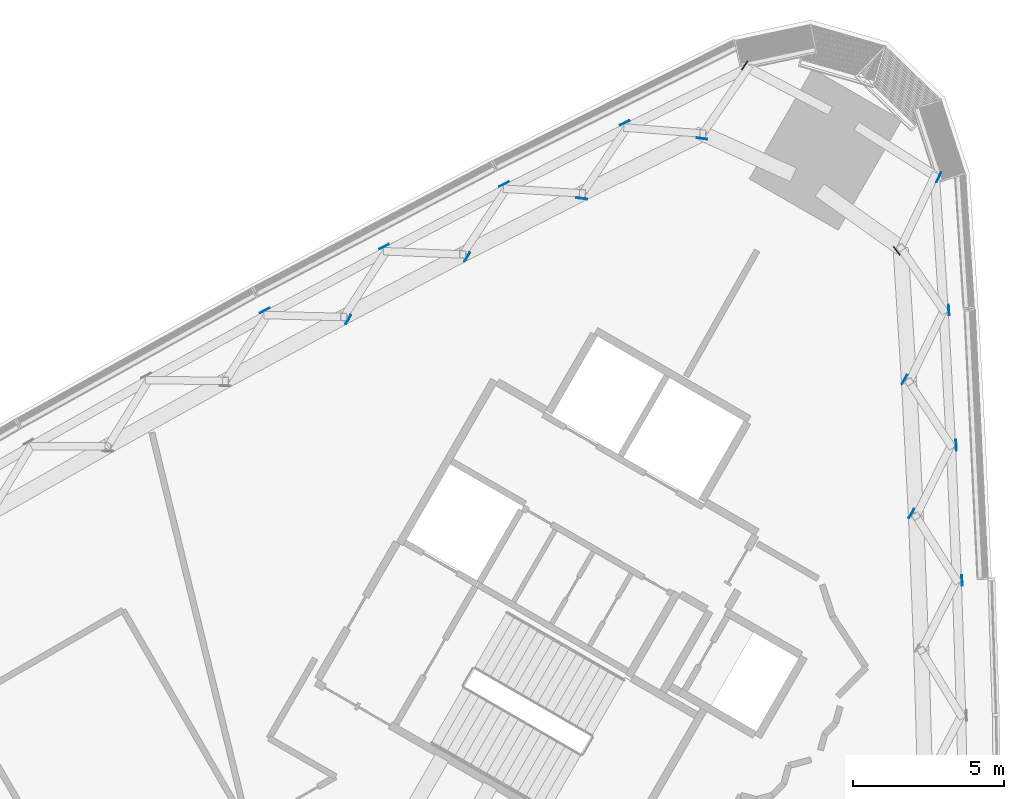
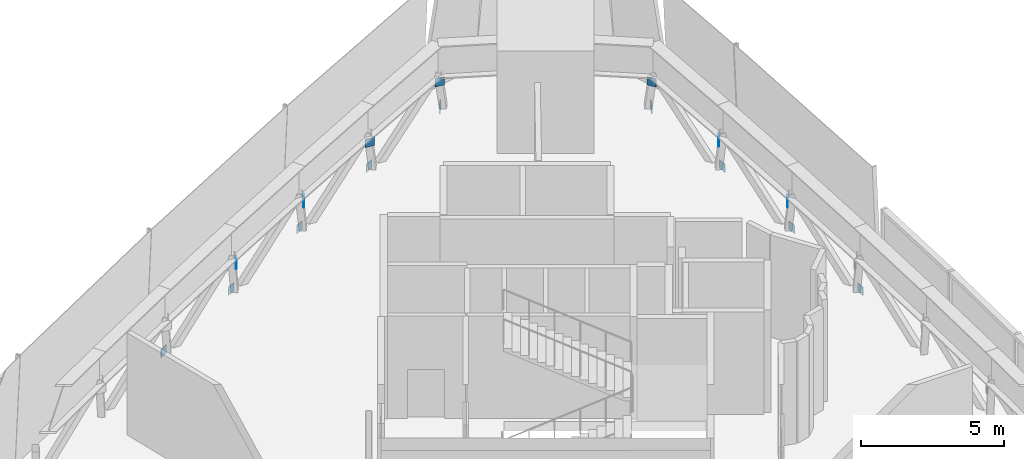
# One storey, part 11 of 19: 16 plates.
"""IFC4 building model written with IfcOpenShell, lengths in metres."""

from ifc_helpers import new_model, si_unit, direction, frame, origin, origin_2d, place, context, subcontext, project, spatial, rectangle, extrude, material, layer, layer_set, type_object, element, save


model = new_model("IFC4")

# Units and contexts
model_context = context("Model", 3, precision=1e-05, world=origin(), true_north=direction((0.0, 1.0)))
body_context = subcontext(model_context, "Body", "Model", "MODEL_VIEW")
ifc_project = project(units=[si_unit("LENGTHUNIT", "METRE"), si_unit("AREAUNIT", "SQUARE_METRE"), si_unit("VOLUMEUNIT", "CUBIC_METRE"), si_unit("PLANEANGLEUNIT", "RADIAN"), si_unit("MASSUNIT", "GRAM", prefix="KILO")], contexts=[model_context])

# Site, building, storey
site_placement = place(None, origin())
site = spatial("IfcSite", under=ifc_project, at=site_placement, CompositionType="ELEMENT")
building_placement = place(site_placement, origin())
building = spatial("IfcBuilding", under=site, at=building_placement, Name="Tamra Quay Hotel Tower", CompositionType="ELEMENT")
storey_placement = place(building_placement, frame((0.0, 0.0, 74.60009765625)))
storey = spatial("IfcBuildingStorey", under=building, at=storey_placement, Name="L17", CompositionType="ELEMENT", Elevation=74.60009765625)

# Plates
ifc_material = material(Name="Structural steel IS 2062 E350", Category="steel")
ifc_layer = layer(ifc_material, 0.030029296875)
ifc_layer_set = layer_set([ifc_layer], Name="BRACE END PLATE 30")
plate_type = type_object("IfcPlateType", Name="BRACE END PLATE 30", PredefinedType="SHEET", material=ifc_layer_set)
for number, where, z_axis, x_axis, name in (
    (1, (21.777587890625, 15.65087890625, -0.400146484375), (0.0, 0.0, 1.0), (0.998867316534, 0.047582391283, 0.0), "BEP-L17-011"),
    (2, (21.583984375, 20.11962890625, -0.400146484375), (0.0, 0.0, 1.0), (0.998125944315, 0.061193131024, 0.0), "BEP-L17-012"),
    (3, (21.34228515625, 24.58544921875, -0.400146484375), (0.0, 0.0, 1.0), (0.997211766281, 0.074623677139, 0.0), "BEP-L17-013"),
    (4, (21.005615234375, 28.973876953125, -0.400146484375), (0.0, 0.0, 1.0), (-0.903324063058, 0.428958782519, 0.0), "BEP-L17-014"),
    (5, (14.58935546875, 32.677978515625, -0.400146484375), (0.0, 0.0, 1.0), (-0.823136368534, 0.567843745053, 0.0), "BEP-L17-015"),
    (6, (10.620361328125, 30.775634765625, -0.400146484375), (0.0, 0.0, 1.0), (-0.433994034619, 0.900915744071, 0.0), "BEP-L17-016"),
    (7, (6.632080078125, 28.752197265625, -0.400146484375), (0.0, 0.0, 1.0), (-0.446088472922, 0.89498886827, 0.0), "BEP-L17-017"),
    (8, (2.665283203125, 26.685302734375, -0.400146484375), (0.0, 0.0, 1.0), (-0.458229201262, 0.888834067254, 0.0), "BEP-L17-018"),
    (9, (-1.27880859375, 24.575927734375, -0.400146484375), (0.0, 0.0, 1.0), (-0.470281948858, 0.882516225674, 0.0), "BEP-L17-019"),
    (10, (20.103515625, 17.859375, 2.624755859375), (0.0, 0.0, 1.0), (-0.866103932916, 0.49986395888, 0.0), "BEP-L17-053"),
    (11, (19.876220703125, 22.29541015625, 2.624755859375), (0.0, 0.0, 1.0), (-0.872578716649, 0.488473523593, 0.0), "BEP-L17-054"),
    (12, (19.61328125, 26.54638671875, 2.624755859375), (0.0, 0.0, 1.0), (0.793282148095, 0.608854197253, 0.0), "BEP-L17-055"),
    (13, (13.183349609375, 30.2587890625, 2.624755859375), (0.0, 0.0, 1.0), (0.130649049456, 0.991428679168, 0.0), "BEP-L17-056"),
    (14, (9.203857421875, 28.279052734375, 2.624755859375), (0.0, 0.0, 1.0), (0.117682987634, 0.9930512144, 0.0), "BEP-L17-057"),
    (15, (5.4150390625, 26.33984375, 2.624755859375), (0.0, 0.0, 1.0), (-0.865952090649, 0.500126960582, 0.0), "BEP-L17-058"),
    (16, (1.482421875, 24.274169921875, 2.624755859375), (0.0, 0.0, 1.0), (-0.872451657622, 0.48870042471, 0.0), "BEP-L17-059"),
):
    element("IfcPlate", number, at=place(storey_placement, frame(where, z_axis=z_axis, x_axis=x_axis)), inside=storey, type_object=plate_type, Name=name, PredefinedType="SHEET", context=body_context, shape_type="SweptSolid", body=[
        extrude(rectangle(XDim=0.030029296875, YDim=0.35009765625, at=origin_2d()), origin(), (0.0, 0.0, 1.0), 0.35009765625),
    ])

save(model, "model.ifc")
